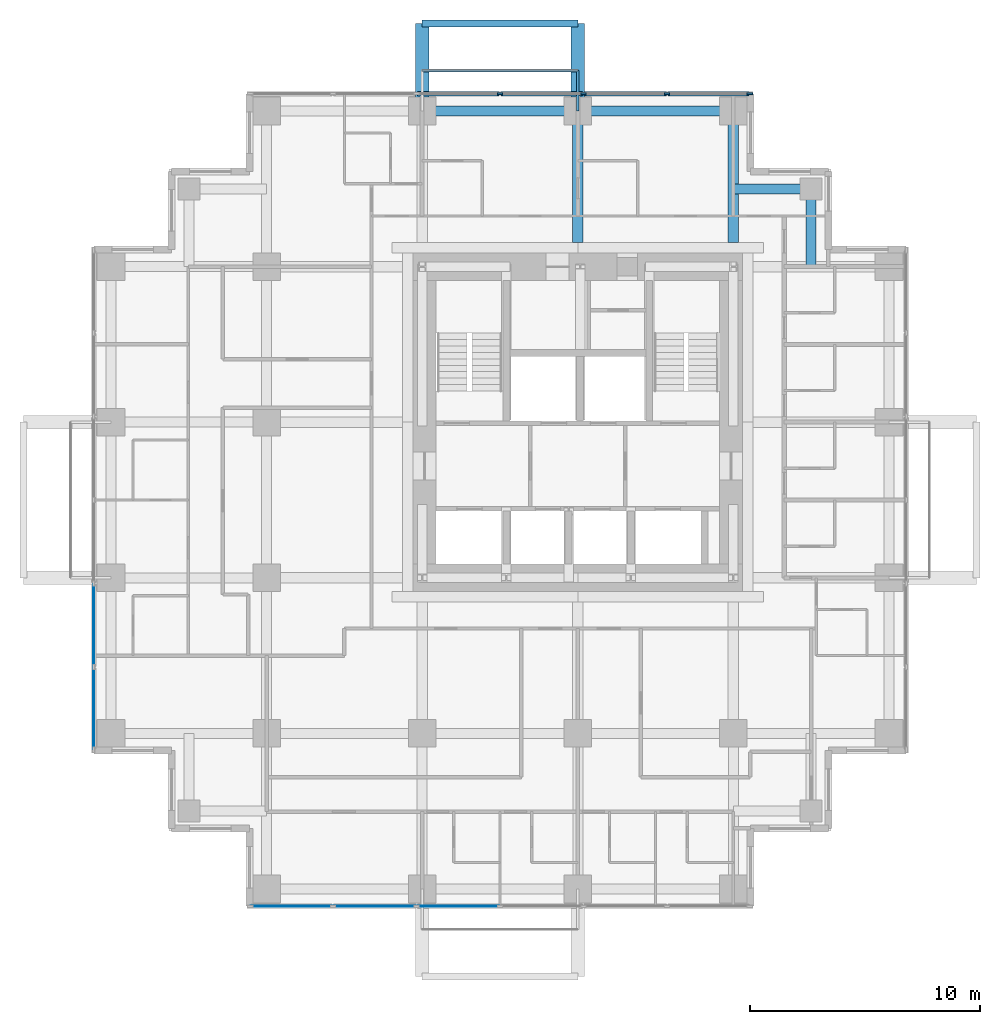
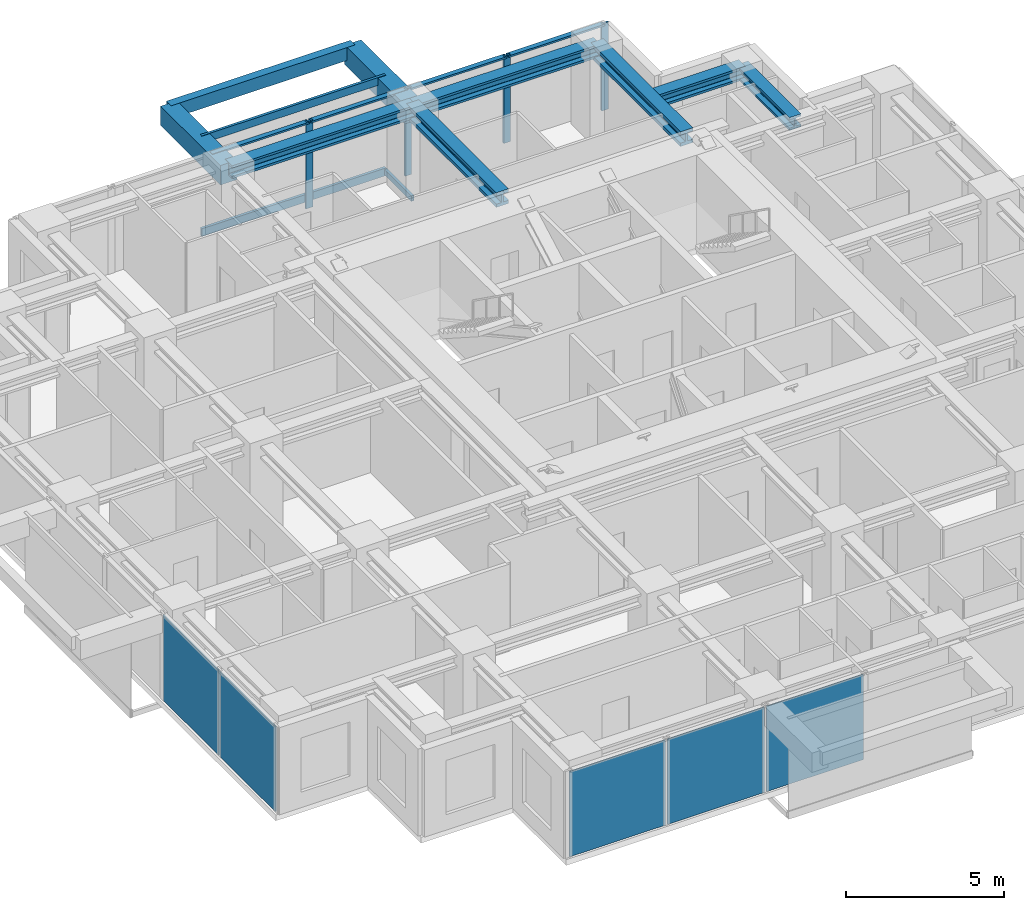
# One storey, part 4 of 10: 11 members, 9 beams, 5 plates, 3 elements without a shape of their own.
"""IFC4 building model written with IfcOpenShell, lengths in metres."""

from ifc_helpers import new_model, si_unit, direction, frame, origin, origin_2d, place, context, subcontext, project, spatial, rectangle, hollow_rectangle, i_section, extrude, material, layer, layer_set, material_profile, profile_set, type_object, element, aggregate, save


model = new_model("IFC4")

# Units and contexts
model_context = context("Model", 3, precision=1e-05, world=origin(), true_north=direction((0.0, 1.0)))
body_context = subcontext(model_context, "Body", "Model", "MODEL_VIEW")
ifc_project = project(units=[si_unit("LENGTHUNIT", "METRE"), si_unit("AREAUNIT", "SQUARE_METRE"), si_unit("VOLUMEUNIT", "CUBIC_METRE"), si_unit("PLANEANGLEUNIT", "RADIAN"), si_unit("MASSUNIT", "GRAM", prefix="KILO")], contexts=[model_context])

# Site, building, storey
site_placement = place(None, origin())
site = spatial("IfcSite", under=ifc_project, at=site_placement, CompositionType="ELEMENT")
building_placement = place(site_placement, origin())
building = spatial("IfcBuilding", under=site, at=building_placement, Name="Nyansa Garden Tower", CompositionType="ELEMENT")
storey_placement = place(building_placement, frame((0.0, 0.0, 189.0)))
storey = spatial("IfcBuildingStorey", under=building, at=storey_placement, Name="L51", CompositionType="ELEMENT", Elevation=189.0)

# Beams
ifc_material_1 = material(Name="Concrete C70/85", Category="concrete")
ifc_material_profile_1 = material_profile(ifc_material_1, rectangle(XDim=0.60009765625, YDim=0.75, at=origin_2d()), Name="RC 600x750")
ifc_profile_set_1 = profile_set([ifc_material_profile_1], Name="Concrete C70/85")
beam_type_1 = type_object("IfcBeamType", Name="Balcony cantilever beam CB1 RC 600x750", PredefinedType="BEAM", material=ifc_profile_set_1)
for number, where, z_axis, x_axis, name in (
    (1, (13.5, 33.75, 2.985107421875), (0.0, 1.0, 0.0), (-1.0, 0.0, 0.0), "Balcony cantilever beam L52"),
    (2, (20.25, 33.75, 2.985107421875), (0.0, 1.0, 0.0), (-1.0, 0.0, 0.0), "Balcony cantilever beam L52"),
):
    element("IfcBeam", number, at=place(storey_placement, frame(where, z_axis=z_axis, x_axis=x_axis)), inside=storey, type_object=beam_type_1, Name=name, PredefinedType="BEAM", context=body_context, shape_type="SweptSolid", body=[
        extrude(rectangle(XDim=0.60009765625, YDim=0.75, at=origin_2d()), origin(), (0.0, 0.0, 1.0), 3.800048828125),
    ])
ifc_material_2 = material(Name="Concrete C70/85", Category="concrete")
ifc_material_profile_2 = material_profile(ifc_material_2, rectangle(XDim=0.300048828125, YDim=0.5, at=origin_2d()), Name="RC 300x500")
ifc_profile_set_2 = profile_set([ifc_material_profile_2], Name="Concrete C70/85")
beam_type_2 = type_object("IfcBeamType", Name="Balcony edge beam BE1 RC 300x500", PredefinedType="BEAM", material=ifc_profile_set_2)
beam_placement = place(storey_placement, frame((13.5, 37.550048828125, 3.110107421875), z_axis=(1.0, 0.0, 0.0), x_axis=(0.0, 1.0, 0.0)))
element("IfcBeam", 3, at=beam_placement, inside=storey, type_object=beam_type_2, Name="Balcony edge beam L52", PredefinedType="BEAM", context=body_context, shape_type="SweptSolid", body=[
    extrude(rectangle(XDim=0.300048828125, YDim=0.5, at=origin_2d()), origin(), (0.0, 0.0, 1.0), 6.75),
])

# Curtain wall, members
ifc_material_3 = material(Name="Black anodised aluminium, dark tinted double glazing", Category="aluminium")
curtain_wall_type = type_object("IfcCurtainWallType", Name="Inner skin curtain wall ISW-C", PredefinedType="USERDEFINED", material=ifc_material_3)
curtain_wall_1_placement = place(storey_placement, origin())
curtain_wall_1 = element("IfcCurtainWall", 4, at=curtain_wall_1_placement, inside=storey, type_object=curtain_wall_type, Name="Inner skin curtain wall L51 N", ObjectType="UNITISED CURTAIN WALL", PredefinedType="USERDEFINED")
ifc_material_4 = material(Name="Black anodised aluminium", Category="aluminium")
ifc_material_profile_3 = material_profile(ifc_material_4, rectangle(XDim=0.070068359375, YDim=0.25, at=origin_2d()), Name="Mullion 250x70")
ifc_profile_set_3 = profile_set([ifc_material_profile_3], Name="Black anodised aluminium")
member_type_1 = type_object("IfcMemberType", Name="Mullion ISW-C 250x70", PredefinedType="MULLION", material=ifc_profile_set_3)
member_1_placement = place(storey_placement, frame((27.715087890625, 34.5, 0.0), z_axis=(0.0, 0.0, 1.0), x_axis=(0.0, -1.0, 0.0)))
member_1 = element("IfcMember", 5, at=member_1_placement, type_object=member_type_1, Name="ISW-C mullion 1", PredefinedType="MULLION", context=body_context, shape_type="SweptSolid", body=[
    extrude(rectangle(XDim=0.070068359375, YDim=0.25, at=origin_2d()), origin(), (0.0, 0.0, 1.0), 3.375),
])
member_2_placement = place(storey_placement, frame((24.125, 34.5, 0.0), z_axis=(0.0, 0.0, 1.0), x_axis=(0.0, -1.0, 0.0)))
member_2 = element("IfcMember", 6, at=member_2_placement, type_object=member_type_1, Name="ISW-C mullion 2", PredefinedType="MULLION", context=body_context, shape_type="SweptSolid", body=[
    extrude(rectangle(XDim=0.070068359375, YDim=0.25, at=origin_2d()), origin(), (0.0, 0.0, 1.0), 3.375),
])
member_3_placement = place(storey_placement, frame((20.5, 34.5, 0.0), z_axis=(0.0, 0.0, 1.0), x_axis=(0.0, -1.0, 0.0)))
member_3 = element("IfcMember", 7, at=member_3_placement, type_object=member_type_1, Name="ISW-C mullion 3", PredefinedType="MULLION", context=body_context, shape_type="SweptSolid", body=[
    extrude(rectangle(XDim=0.070068359375, YDim=0.25, at=origin_2d()), origin(), (0.0, 0.0, 1.0), 3.375),
])
member_4_placement = place(storey_placement, frame((16.875, 34.5, 0.0), z_axis=(0.0, 0.0, 1.0), x_axis=(0.0, -1.0, 0.0)))
member_4 = element("IfcMember", 8, at=member_4_placement, type_object=member_type_1, Name="ISW-C mullion 4", PredefinedType="MULLION", context=body_context, shape_type="SweptSolid", body=[
    extrude(rectangle(XDim=0.070068359375, YDim=0.25, at=origin_2d()), origin(), (0.0, 0.0, 1.0), 3.375),
])

# Members
ifc_material_5 = material(Name="Steel S355, black powder coated", Category="steel")
ifc_material_profile_4 = material_profile(ifc_material_5, hollow_rectangle(XDim=0.10009765625, YDim=0.199951171875, WallThickness=0.008056640625, at=origin_2d()), Name="RHS 200x100x8")
ifc_profile_set_4 = profile_set([ifc_material_profile_4], Name="Steel S355, black powder coated")
member_type_2 = type_object("IfcMemberType", Name="Outer skin bracket arm RHS 200x100x8", PredefinedType="USERDEFINED", material=ifc_profile_set_4)
member_5_placement = place(storey_placement, frame((20.25, 33.75, -0.375), z_axis=(0.0, 1.0, 0.0), x_axis=(-1.0, 0.0, 0.0)))
element("IfcMember", 9, at=member_5_placement, inside=storey, type_object=member_type_2, Name="Outer skin bracket arm", ObjectType="OUTER SKIN BRACKET", PredefinedType="USERDEFINED", context=body_context, shape_type="SweptSolid", body=[
    extrude(hollow_rectangle(XDim=0.10009765625, YDim=0.199951171875, WallThickness=0.008056640625, at=origin_2d()), origin(), (0.0, 0.0, 1.0), 1.75),
])
ifc_material_6 = material(Name="Steel S355, black powder coated", Category="steel")
ifc_material_profile_5 = material_profile(ifc_material_6, hollow_rectangle(XDim=0.10009765625, YDim=0.300048828125, WallThickness=0.010009765625, at=origin_2d()), Name="RHS 300x100x10")
ifc_profile_set_5 = profile_set([ifc_material_profile_5], Name="Steel S355, black powder coated")
member_type_3 = type_object("IfcMemberType", Name="Outer skin rail RHS 300x100x10", PredefinedType="USERDEFINED", material=ifc_profile_set_5)
for number, where, z_axis, x_axis, name in (
    (10, (13.5, 35.5, -0.375), (1.0, 0.0, 0.0), (0.0, 1.0, 0.0), "Outer skin rail L51"),
    (11, (13.5, 35.5, 3.22509765625), (1.0, 0.0, 0.0), (0.0, 1.0, 0.0), "Outer skin rail L51 head"),
):
    element("IfcMember", number, at=place(storey_placement, frame(where, z_axis=z_axis, x_axis=x_axis)), inside=storey, type_object=member_type_3, Name=name, ObjectType="OUTER SKIN RAIL", PredefinedType="USERDEFINED", context=body_context, shape_type="SweptSolid", body=[
        extrude(hollow_rectangle(XDim=0.10009765625, YDim=0.300048828125, WallThickness=0.010009765625, at=origin_2d()), origin(), (0.0, 0.0, 1.0), 6.75),
    ])

# Beams
ifc_material_7 = material(Name="Steel S355", Category="steel")
ifc_material_profile_6 = material_profile(ifc_material_7, i_section(OverallWidth=0.4541015625, OverallDepth=0.569091796875, WebThickness=0.077880859375, FlangeThickness=0.125, FilletRadius=0.014892578125, at=origin_2d()), Name="HD 400x1086")
ifc_profile_set_6 = profile_set([ifc_material_profile_6], Name="Steel S355")
beam_type_3 = type_object("IfcBeamType", Name="Steel beam SCL-1086 HD 400x1086", PredefinedType="BEAM", material=ifc_profile_set_6)
for number, where, z_axis, x_axis, name in (
    (12, (20.25, 28.050048828125, 3.090576171875), (0.0, 1.0, 0.0), (-1.0, 0.0, 0.0), "Steel beam 5/28.050-5/J L52"),
    (13, (27.0, 28.050048828125, 3.090576171875), (0.0, 1.0, 0.0), (-1.0, 0.0, 0.0), "Steel beam 6/28.050-6/J L52"),
):
    element("IfcBeam", number, at=place(storey_placement, frame(where, z_axis=z_axis, x_axis=x_axis)), inside=storey, type_object=beam_type_3, Name=name, PredefinedType="BEAM", context=body_context, shape_type="SweptSolid", body=[
        extrude(i_section(OverallWidth=0.4541015625, OverallDepth=0.569091796875, WebThickness=0.077880859375, FlangeThickness=0.125, FilletRadius=0.014892578125, at=origin_2d()), origin(), (0.0, 0.0, 1.0), 5.699951171875),
    ])
ifc_material_8 = material(Name="Steel S355", Category="steel")
ifc_material_profile_7 = material_profile(ifc_material_8, i_section(OverallWidth=0.431884765625, OverallDepth=0.498046875, WebThickness=0.0556640625, FlangeThickness=0.0888671875, FilletRadius=0.014892578125, at=origin_2d()), Name="HD 400x744")
ifc_profile_set_7 = profile_set([ifc_material_profile_7], Name="Steel S355")
beam_type_4 = type_object("IfcBeamType", Name="Steel beam SEBC-744 HD 400x744", PredefinedType="BEAM", material=ifc_profile_set_7)
for number, where, z_axis, x_axis, name in (
    (14, (13.5, 33.75, 3.1259765625), (1.0, 0.0, 0.0), (0.0, 1.0, 0.0), "Steel edge beam 4/J-5/J L52"),
    (15, (20.25, 33.75, 3.1259765625), (1.0, 0.0, 0.0), (0.0, 1.0, 0.0), "Steel edge beam 5/J-6/J L52"),
):
    element("IfcBeam", number, at=place(storey_placement, frame(where, z_axis=z_axis, x_axis=x_axis)), inside=storey, type_object=beam_type_4, Name=name, PredefinedType="BEAM", context=body_context, shape_type="SweptSolid", body=[
        extrude(i_section(OverallWidth=0.431884765625, OverallDepth=0.498046875, WebThickness=0.0556640625, FlangeThickness=0.0888671875, FilletRadius=0.014892578125, at=origin_2d()), origin(), (0.0, 0.0, 1.0), 6.75),
    ])
ifc_material_9 = material(Name="Steel S355", Category="steel")
ifc_material_profile_8 = material_profile(ifc_material_9, i_section(OverallWidth=0.431884765625, OverallDepth=0.498046875, WebThickness=0.0556640625, FlangeThickness=0.0888671875, FilletRadius=0.014892578125, at=origin_2d()), Name="HD 400x744")
ifc_profile_set_8 = profile_set([ifc_material_profile_8], Name="Steel S355")
beam_type_5 = type_object("IfcBeamType", Name="Steel beam SSB1-744 HD 400x744", PredefinedType="BEAM", material=ifc_profile_set_8)
for number, where, z_axis, x_axis, name in (
    (16, (30.375, 30.375, 3.1259765625), (0.0, -1.0, 0.0), (1.0, 0.0, 0.0), "Steel step beam 30.375/30.375 L52"),
    (17, (30.375, 30.375, 3.1259765625), (-1.0, 0.0, 0.0), (0.0, -1.0, 0.0), "Steel step beam 30.375/30.375 L52"),
):
    element("IfcBeam", number, at=place(storey_placement, frame(where, z_axis=z_axis, x_axis=x_axis)), inside=storey, type_object=beam_type_5, Name=name, PredefinedType="BEAM", context=body_context, shape_type="SweptSolid", body=[
        extrude(i_section(OverallWidth=0.431884765625, OverallDepth=0.498046875, WebThickness=0.0556640625, FlangeThickness=0.0888671875, FilletRadius=0.014892578125, at=origin_2d()), origin(), (0.0, 0.0, 1.0), 3.375),
    ])

# Member
ifc_material_10 = material(Name="Black anodised aluminium", Category="aluminium")
ifc_material_profile_9 = material_profile(ifc_material_10, rectangle(XDim=0.179931640625, YDim=0.070068359375, at=origin_2d()), Name="Transom 180x70")
ifc_profile_set_9 = profile_set([ifc_material_profile_9], Name="Black anodised aluminium")
member_type_4 = type_object("IfcMemberType", Name="Transom ISW-C 180x70", PredefinedType="USERDEFINED", material=ifc_profile_set_9)
member_6_placement = place(storey_placement, frame((27.679931640625, 34.5, 3.340087890625), z_axis=(-1.0, 0.0, 0.0), x_axis=(0.0, -1.0, 0.0)))
member_6 = element("IfcMember", 18, at=member_6_placement, type_object=member_type_4, Name="ISW-C transom 1", ObjectType="TRANSOM", PredefinedType="USERDEFINED", context=body_context, shape_type="SweptSolid", body=[
    extrude(rectangle(XDim=0.179931640625, YDim=0.070068359375, at=origin_2d()), origin(), (0.0, 0.0, 1.0), 3.52001953125),
])

member_7_placement = place(storey_placement, frame((24.090087890625, 34.5, 3.340087890625), z_axis=(-1.0, 0.0, 0.0), x_axis=(0.0, -1.0, 0.0)))
member_7 = element("IfcMember", 19, at=member_7_placement, type_object=member_type_4, Name="ISW-C transom 2", ObjectType="TRANSOM", PredefinedType="USERDEFINED", context=body_context, shape_type="SweptSolid", body=[
    extrude(rectangle(XDim=0.179931640625, YDim=0.070068359375, at=origin_2d()), origin(), (0.0, 0.0, 1.0), 3.55517578125),
])

member_8_placement = place(storey_placement, frame((20.465087890625, 34.5, 3.340087890625), z_axis=(-1.0, 0.0, 0.0), x_axis=(0.0, -1.0, 0.0)))
member_8 = element("IfcMember", 20, at=member_8_placement, type_object=member_type_4, Name="ISW-C transom 3", ObjectType="TRANSOM", PredefinedType="USERDEFINED", context=body_context, shape_type="SweptSolid", body=[
    extrude(rectangle(XDim=0.179931640625, YDim=0.070068359375, at=origin_2d()), origin(), (0.0, 0.0, 1.0), 3.55517578125),
])

member_9_placement = place(storey_placement, frame((16.840087890625, 34.5, 3.340087890625), z_axis=(-1.0, 0.0, 0.0), x_axis=(0.0, -1.0, 0.0)))
member_9 = element("IfcMember", 21, at=member_9_placement, type_object=member_type_4, Name="ISW-C transom 4", ObjectType="TRANSOM", PredefinedType="USERDEFINED", context=body_context, shape_type="SweptSolid", body=[
    extrude(rectangle(XDim=0.179931640625, YDim=0.070068359375, at=origin_2d()), origin(), (0.0, 0.0, 1.0), 3.55517578125),
])

aggregate(curtain_wall_1, [member_1, member_2, member_3, member_4, member_6, member_7, member_8, member_9])

# Curtain wall, plates
curtain_wall_2_placement = place(storey_placement, origin())
curtain_wall_2 = element("IfcCurtainWall", 22, at=curtain_wall_2_placement, inside=storey, type_object=curtain_wall_type, Name="Inner skin curtain wall L51 W", ObjectType="UNITISED CURTAIN WALL", PredefinedType="USERDEFINED")
ifc_material_11 = material(Name="Dark tinted laminated double glazing", Category="glass")
ifc_layer = layer(ifc_material_11, 0.0400390625)
ifc_layer_set = layer_set([ifc_layer], Name="Dark tinted vision panel VP-C")
plate_type = type_object("IfcPlateType", Name="Dark tinted vision panel VP-C", PredefinedType="CURTAIN_PANEL", material=ifc_layer_set)
plate_1_placement = place(storey_placement, frame((-0.75, 11.4375, 0.0), z_axis=(0.0, 0.0, 1.0), x_axis=(0.0, -1.0, 0.0)))
plate_1 = element("IfcPlate", 23, at=plate_1_placement, type_object=plate_type, Name="ISW-C panel 5", PredefinedType="CURTAIN_PANEL", context=body_context, shape_type="SweptSolid", body=[
    extrude(rectangle(XDim=3.554931640625, YDim=0.0400390625, at=origin_2d()), origin(), (0.0, 0.0, 1.0), 3.304931640625),
])
plate_2_placement = place(storey_placement, frame((-0.75, 7.830078125, 0.0), z_axis=(0.0, 0.0, 1.0), x_axis=(0.0, -1.0, 0.0)))
plate_2 = element("IfcPlate", 24, at=plate_2_placement, type_object=plate_type, Name="ISW-C panel 6", PredefinedType="CURTAIN_PANEL", context=body_context, shape_type="SweptSolid", body=[
    extrude(rectangle(XDim=3.52001953125, YDim=0.0400390625, at=origin_2d()), origin(), (0.0, 0.0, 1.0), 3.304931640625),
])
aggregate(curtain_wall_2, [plate_1, plate_2])

curtain_wall_3_placement = place(storey_placement, origin())
curtain_wall_3 = element("IfcCurtainWall", 25, at=curtain_wall_3_placement, inside=storey, type_object=curtain_wall_type, Name="Inner skin curtain wall L51 S", ObjectType="UNITISED CURTAIN WALL", PredefinedType="USERDEFINED")
plate_3_placement = place(storey_placement, frame((7.830078125, -0.75, 0.0), z_axis=(0.0, 0.0, 1.0), x_axis=(1.0, 0.0, 0.0)))
plate_3 = element("IfcPlate", 26, at=plate_3_placement, type_object=plate_type, Name="ISW-C panel 1", PredefinedType="CURTAIN_PANEL", context=body_context, shape_type="SweptSolid", body=[
    extrude(rectangle(XDim=3.52001953125, YDim=0.0400390625, at=origin_2d()), origin(), (0.0, 0.0, 1.0), 3.304931640625),
])
plate_4_placement = place(storey_placement, frame((11.4375, -0.75, 0.0), z_axis=(0.0, 0.0, 1.0), x_axis=(1.0, 0.0, 0.0)))
plate_4 = element("IfcPlate", 27, at=plate_4_placement, type_object=plate_type, Name="ISW-C panel 2", PredefinedType="CURTAIN_PANEL", context=body_context, shape_type="SweptSolid", body=[
    extrude(rectangle(XDim=3.554931640625, YDim=0.0400390625, at=origin_2d()), origin(), (0.0, 0.0, 1.0), 3.304931640625),
])
plate_5_placement = place(storey_placement, frame((15.0625, -0.75, 0.0), z_axis=(0.0, 0.0, 1.0), x_axis=(1.0, 0.0, 0.0)))
plate_5 = element("IfcPlate", 28, at=plate_5_placement, type_object=plate_type, Name="ISW-C panel 3", PredefinedType="CURTAIN_PANEL", context=body_context, shape_type="SweptSolid", body=[
    extrude(rectangle(XDim=3.554931640625, YDim=0.0400390625, at=origin_2d()), origin(), (0.0, 0.0, 1.0), 3.304931640625),
])
aggregate(curtain_wall_3, [plate_3, plate_4, plate_5])

save(model, "model.ifc")
